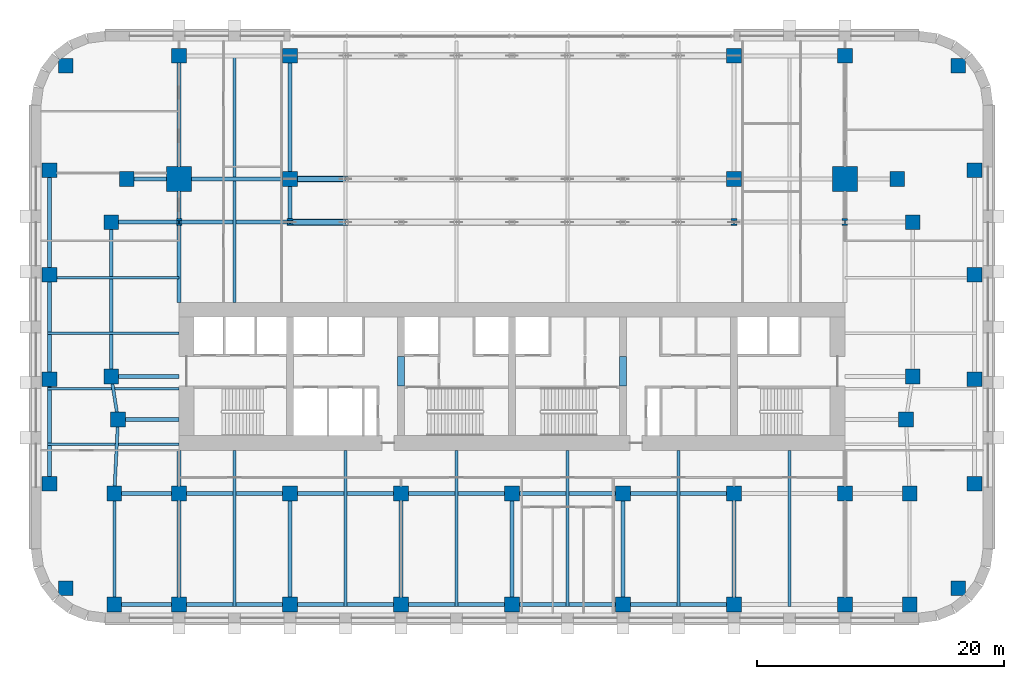
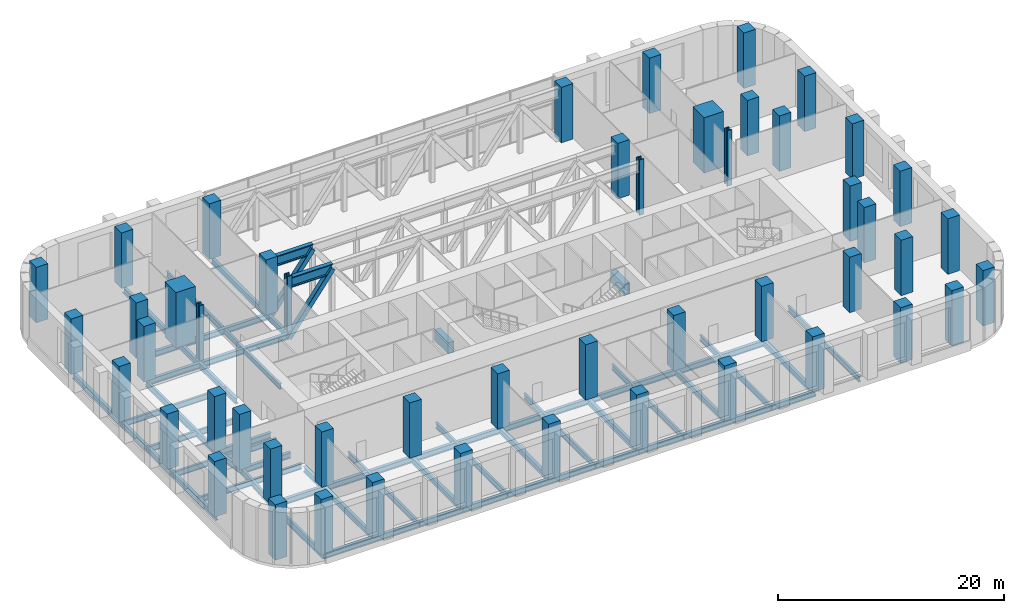
# One storey, part 1 of 13: 50 columns, 38 beams, 4 members.
"""IFC4 building model written with IfcOpenShell, lengths in metres."""

from ifc_helpers import new_model, si_unit, direction, frame, origin, origin_2d, place, context, subcontext, project, spatial, rectangle, hollow_rectangle, i_section, extrude, material, material_profile, profile_set, type_object, element, save


model = new_model("IFC4")

# Units and contexts
model_context = context("Model", 3, precision=1e-05, world=origin(), true_north=direction((0.0, 1.0)))
body_context = subcontext(model_context, "Body", "Model", "MODEL_VIEW")
ifc_project = project(units=[si_unit("LENGTHUNIT", "METRE"), si_unit("AREAUNIT", "SQUARE_METRE"), si_unit("VOLUMEUNIT", "CUBIC_METRE"), si_unit("PLANEANGLEUNIT", "RADIAN"), si_unit("MASSUNIT", "GRAM", prefix="KILO")], contexts=[model_context])

# Site, building, storey
site_placement = place(None, origin())
site = spatial("IfcSite", under=ifc_project, at=site_placement, CompositionType="ELEMENT")
building_placement = place(site_placement, origin())
building = spatial("IfcBuilding", under=site, at=building_placement, Name="Zellij Exchange Tower", CompositionType="ELEMENT")
storey_placement = place(building_placement, frame((0.0, 0.0, 27.0)))
storey = spatial("IfcBuildingStorey", under=building, at=storey_placement, Name="L04", CompositionType="ELEMENT", Elevation=27.0)

# Columns
ifc_material_1 = material(Name="Concrete C70/85", Category="concrete")
ifc_material_profile_1 = material_profile(ifc_material_1, rectangle(XDim=1.199951171875, YDim=1.199951171875, at=origin_2d()), Name="STR-COLUMN RC1200x1200 C70/85")
ifc_profile_set_1 = profile_set([ifc_material_profile_1], Name="Concrete C70/85")
column_type_1 = type_object("IfcColumnType", Name="STR-COLUMN RC1200x1200 C70/85", PredefinedType="COLUMN", material=ifc_profile_set_1)
for number, where, z_axis, x_axis, name in (
    (1, (-32.25, -26.5, 0.0), (0.0, 0.0, 1.0), (1.0, 0.0, 0.0), "C12"),
    (2, (-27.0, -26.5, 0.0), (0.0, 0.0, 1.0), (1.0, 0.0, 0.0), "C12"),
    (3, (-18.0, -26.5, 0.0), (0.0, 0.0, 1.0), (1.0, 0.0, 0.0), "C12"),
    (4, (-9.0, -26.5, 0.0), (0.0, 0.0, 1.0), (1.0, 0.0, 0.0), "C12"),
    (5, (0.0, -26.5, 0.0), (0.0, 0.0, 1.0), (1.0, 0.0, 0.0), "C12"),
    (6, (9.0, -26.5, 0.0), (0.0, 0.0, 1.0), (1.0, 0.0, 0.0), "C12"),
    (7, (18.0, -26.5, 0.0), (0.0, 0.0, 1.0), (1.0, 0.0, 0.0), "C12"),
    (8, (27.0, -26.5, 0.0), (0.0, 0.0, 1.0), (1.0, 0.0, 0.0), "C12"),
    (9, (32.25, -26.5, 0.0), (0.0, 0.0, 1.0), (1.0, 0.0, 0.0), "C12"),
    (10, (-36.181884765625, -25.181884765625, 0.0), (0.0, 0.0, 1.0), (1.0, 0.0, 0.0), "C12"),
    (11, (36.181884765625, -25.181884765625, 0.0), (0.0, 0.0, 1.0), (1.0, 0.0, 0.0), "C12"),
    (12, (-32.25, -17.5, 0.0), (0.0, 0.0, 1.0), (1.0, 0.0, 0.0), "C12"),
    (13, (-27.0, -17.5, 0.0), (0.0, 0.0, 1.0), (1.0, 0.0, 0.0), "C12"),
    (14, (-18.0, -17.5, 0.0), (0.0, 0.0, 1.0), (1.0, 0.0, 0.0), "C12"),
    (15, (-9.0, -17.5, 0.0), (0.0, 0.0, 1.0), (1.0, 0.0, 0.0), "C12"),
    (16, (0.0, -17.5, 0.0), (0.0, 0.0, 1.0), (1.0, 0.0, 0.0), "C12"),
    (17, (9.0, -17.5, 0.0), (0.0, 0.0, 1.0), (1.0, 0.0, 0.0), "C12"),
    (18, (18.0, -17.5, 0.0), (0.0, 0.0, 1.0), (1.0, 0.0, 0.0), "C12"),
    (19, (27.0, -17.5, 0.0), (0.0, 0.0, 1.0), (1.0, 0.0, 0.0), "C12"),
    (20, (32.25, -17.5, 0.0), (0.0, 0.0, 1.0), (1.0, 0.0, 0.0), "C12"),
    (21, (-37.5, -16.709228515625, 0.0), (0.0, 0.0, 1.0), (1.0, 0.0, 0.0), "C12"),
    (22, (37.5, -16.709228515625, 0.0), (0.0, 0.0, 1.0), (1.0, 0.0, 0.0), "C12"),
    (23, (-31.949951171875, -11.5, 0.0), (0.0, 0.0, 1.0), (1.0, 0.0, 0.0), "C12"),
    (24, (31.949951171875, -11.5, 0.0), (0.0, 0.0, 1.0), (1.0, 0.0, 0.0), "C12"),
    (25, (-37.5, -8.236328125, 0.0), (0.0, 0.0, 1.0), (1.0, 0.0, 0.0), "C12"),
    (26, (37.5, -8.236328125, 0.0), (0.0, 0.0, 1.0), (1.0, 0.0, 0.0), "C12"),
    (27, (-32.5, -8.0, 0.0), (0.0, 0.0, 1.0), (1.0, 0.0, 0.0), "C12"),
    (28, (32.5, -8.0, 0.0), (0.0, 0.0, 1.0), (1.0, 0.0, 0.0), "C12"),
    (29, (-37.5, 0.236328125, 0.0), (0.0, 0.0, 1.0), (1.0, 0.0, 0.0), "C12"),
    (30, (37.5, 0.236328125, 0.0), (0.0, 0.0, 1.0), (1.0, 0.0, 0.0), "C12"),
    (31, (-32.5, 4.5, 0.0), (0.0, 0.0, 1.0), (1.0, 0.0, 0.0), "C12"),
    (32, (32.5, 4.5, 0.0), (0.0, 0.0, 1.0), (1.0, 0.0, 0.0), "C12"),
    (33, (-31.25, 8.0, 0.0), (0.0, 0.0, 1.0), (1.0, 0.0, 0.0), "C12"),
    (34, (-18.0, 8.0, 0.0), (0.0, 0.0, 1.0), (1.0, 0.0, 0.0), "C12"),
    (35, (18.0, 8.0, 0.0), (0.0, 0.0, 1.0), (1.0, 0.0, 0.0), "C12"),
    (36, (31.25, 8.0, 0.0), (0.0, 0.0, 1.0), (1.0, 0.0, 0.0), "C12"),
    (37, (-37.5, 8.709228515625, 0.0), (0.0, 0.0, 1.0), (1.0, 0.0, 0.0), "C12"),
    (38, (37.5, 8.709228515625, 0.0), (0.0, 0.0, 1.0), (1.0, 0.0, 0.0), "C12"),
    (39, (-36.181884765625, 17.181884765625, 0.0), (0.0, 0.0, 1.0), (1.0, 0.0, 0.0), "C12"),
    (40, (36.181884765625, 17.181884765625, 0.0), (0.0, 0.0, 1.0), (1.0, 0.0, 0.0), "C12"),
    (41, (-27.0, 18.0, 0.0), (0.0, 0.0, 1.0), (1.0, 0.0, 0.0), "C12"),
    (42, (-18.0, 18.0, 0.0), (0.0, 0.0, 1.0), (1.0, 0.0, 0.0), "C12"),
    (43, (18.0, 18.0, 0.0), (0.0, 0.0, 1.0), (1.0, 0.0, 0.0), "C12"),
    (44, (27.0, 18.0, 0.0), (0.0, 0.0, 1.0), (1.0, 0.0, 0.0), "C12"),
):
    element("IfcColumn", number, at=place(storey_placement, frame(where, z_axis=z_axis, x_axis=x_axis)), inside=storey, type_object=column_type_1, Name=name, PredefinedType="COLUMN", context=body_context, shape_type="SweptSolid", body=[
        extrude(rectangle(XDim=1.199951171875, YDim=1.199951171875, at=origin_2d()), origin(), (0.0, 0.0, 1.0), 6.0),
    ])
ifc_material_2 = material(Name="Structural steel ASTM A913 Gr 65", Category="steel")
ifc_material_profile_2 = material_profile(ifc_material_2, i_section(OverallWidth=0.45458984375, OverallDepth=0.56884765625, WebThickness=0.077880859375, FlangeThickness=0.124755859375, at=origin_2d()), Name="W14x730")
ifc_profile_set_2 = profile_set([ifc_material_profile_2], Name="Structural steel ASTM A913 Gr 65")
column_type_2 = type_object("IfcColumnType", Name="STR-COLUMN W14x730", PredefinedType="COLUMN", material=ifc_profile_set_2)
for number, where, z_axis, x_axis, name in (
    (45, (-27.0, 4.5, 0.0), (0.0, 0.0, 1.0), (1.0, 0.0, 0.0), "C7"),
    (46, (-18.0, 4.5, 0.0), (0.0, 0.0, 1.0), (1.0, 0.0, 0.0), "C7"),
    (47, (18.0, 4.5, 0.0), (0.0, 0.0, 1.0), (1.0, 0.0, 0.0), "C7"),
    (48, (27.0, 4.5, 0.0), (0.0, 0.0, 1.0), (1.0, 0.0, 0.0), "C7"),
):
    element("IfcColumn", number, at=place(storey_placement, frame(where, z_axis=z_axis, x_axis=x_axis)), inside=storey, type_object=column_type_2, Name=name, PredefinedType="COLUMN", context=body_context, shape_type="SweptSolid", body=[
        extrude(i_section(OverallWidth=0.45458984375, OverallDepth=0.56884765625, WebThickness=0.077880859375, FlangeThickness=0.124755859375, at=origin_2d()), origin(), (0.0, 0.0, 1.0), 6.0),
    ])
ifc_material_profile_3 = material_profile(ifc_material_1, rectangle(XDim=2.0, YDim=2.0, at=origin_2d()), Name="STR-MEGA COLUMN RC2000x2000 C70/85")
ifc_profile_set_3 = profile_set([ifc_material_profile_3], Name="Concrete C70/85")
column_type_3 = type_object("IfcColumnType", Name="STR-MEGA COLUMN RC2000x2000 C70/85", PredefinedType="COLUMN", material=ifc_profile_set_3)
for number, where, z_axis, x_axis, name in (
    (49, (-27.0, 8.0, 0.0), (0.0, 0.0, 1.0), (1.0, 0.0, 0.0), "MC8"),
    (50, (27.0, 8.0, 0.0), (0.0, 0.0, 1.0), (1.0, 0.0, 0.0), "MC8"),
):
    element("IfcColumn", number, at=place(storey_placement, frame(where, z_axis=z_axis, x_axis=x_axis)), inside=storey, type_object=column_type_3, Name=name, PredefinedType="COLUMN", context=body_context, shape_type="SweptSolid", body=[
        extrude(rectangle(XDim=2.0, YDim=2.0, at=origin_2d()), origin(), (0.0, 0.0, 1.0), 6.0),
    ])

# Beams
ifc_material_profile_4 = material_profile(ifc_material_1, rectangle(XDim=0.60009765625, YDim=1.199951171875, at=origin_2d()), Name="CORE-CB 600x1200 C70/85")
ifc_profile_set_4 = profile_set([ifc_material_profile_4], Name="Concrete C70/85")
beam_type_1 = type_object("IfcBeamType", Name="CORE-CB 600x1200 C70/85", PredefinedType="BEAM", material=ifc_profile_set_4)
for number, where, z_axis, x_axis, name in (
    (51, (-9.0, -8.800048828125, 3.0), (0.0, 1.0, 0.0), (-1.0, 0.0, 0.0), "Core coupling beam x -9 L04"),
    (52, (9.0, -8.800048828125, 3.0), (0.0, 1.0, 0.0), (-1.0, 0.0, 0.0), "Core coupling beam x 9 L04"),
):
    element("IfcBeam", number, at=place(storey_placement, frame(where, z_axis=z_axis, x_axis=x_axis)), inside=storey, type_object=beam_type_1, Name=name, PredefinedType="BEAM", context=body_context, shape_type="SweptSolid", body=[
        extrude(rectangle(XDim=0.60009765625, YDim=1.199951171875, at=origin_2d()), origin(), (0.0, 0.0, 1.0), 2.425048828125),
    ])
ifc_material_3 = material(Name="Structural steel ASTM A992 Gr 50", Category="steel")
ifc_material_profile_5 = material_profile(ifc_material_3, i_section(OverallWidth=0.22900390625, OverallDepth=0.612060546875, WebThickness=0.011962890625, FlangeThickness=0.01953125, at=origin_2d()), Name="W24x84")
ifc_profile_set_5 = profile_set([ifc_material_profile_5], Name="Structural steel ASTM A992 Gr 50")
beam_type_2 = type_object("IfcBeamType", Name="STR-BEAM W24x84", PredefinedType="BEAM", material=ifc_profile_set_5)
beam_1_placement = place(storey_placement, frame((-22.5, -26.66259765625, -0.606201171875), z_axis=(0.0, 1.0, 0.0), x_axis=(-1.0, 0.0, 0.0)))
element("IfcBeam", 53, at=beam_1_placement, inside=storey, type_object=beam_type_2, Name="B6", PredefinedType="BEAM", context=body_context, shape_type="SweptSolid", body=[
    extrude(i_section(OverallWidth=0.22900390625, OverallDepth=0.612060546875, WebThickness=0.011962890625, FlangeThickness=0.01953125, at=origin_2d()), origin(), (0.0, 0.0, 1.0), 12.66259765625),
])
beam_2_placement = place(storey_placement, frame((-22.5, -2.0, -0.606201171875), z_axis=(0.0, 1.0, 0.0), x_axis=(-1.0, 0.0, 0.0)))
element("IfcBeam", 54, at=beam_2_placement, inside=storey, type_object=beam_type_2, Name="B6", PredefinedType="BEAM", context=body_context, shape_type="SweptSolid", body=[
    extrude(i_section(OverallWidth=0.22900390625, OverallDepth=0.612060546875, WebThickness=0.011962890625, FlangeThickness=0.01953125, at=origin_2d()), origin(), (0.0, 0.0, 1.0), 20.16259765625),
])
for number, where, z_axis, x_axis, name in (
    (55, (-13.5, -26.66259765625, -0.606201171875), (0.0, 1.0, 0.0), (-1.0, 0.0, 0.0), "B6"),
    (56, (-4.5, -26.66259765625, -0.606201171875), (0.0, 1.0, 0.0), (-1.0, 0.0, 0.0), "B6"),
    (57, (4.5, -26.66259765625, -0.606201171875), (0.0, 1.0, 0.0), (-1.0, 0.0, 0.0), "B6"),
    (58, (13.5, -26.66259765625, -0.606201171875), (0.0, 1.0, 0.0), (-1.0, 0.0, 0.0), "B6"),
    (59, (22.5, -26.66259765625, -0.606201171875), (0.0, 1.0, 0.0), (-1.0, 0.0, 0.0), "B6"),
):
    element("IfcBeam", number, at=place(storey_placement, frame(where, z_axis=z_axis, x_axis=x_axis)), inside=storey, type_object=beam_type_2, Name=name, PredefinedType="BEAM", context=body_context, shape_type="SweptSolid", body=[
        extrude(i_section(OverallWidth=0.22900390625, OverallDepth=0.612060546875, WebThickness=0.011962890625, FlangeThickness=0.01953125, at=origin_2d()), origin(), (0.0, 0.0, 1.0), 12.66259765625),
    ])
for number, where, z_axis, x_axis, name in (
    (60, (-37.66259765625, -13.5, -0.606201171875), (1.0, 0.0, 0.0), (0.0, 1.0, 0.0), "B6"),
    (61, (-37.66259765625, -9.0, -0.606201171875), (1.0, 0.0, 0.0), (0.0, 1.0, 0.0), "B6"),
    (62, (-37.66259765625, -4.5, -0.606201171875), (1.0, 0.0, 0.0), (0.0, 1.0, 0.0), "B6"),
    (63, (-37.66259765625, 0.0, -0.606201171875), (1.0, 0.0, 0.0), (0.0, 1.0, 0.0), "B6"),
):
    element("IfcBeam", number, at=place(storey_placement, frame(where, z_axis=z_axis, x_axis=x_axis)), inside=storey, type_object=beam_type_2, Name=name, PredefinedType="BEAM", context=body_context, shape_type="SweptSolid", body=[
        extrude(i_section(OverallWidth=0.22900390625, OverallDepth=0.612060546875, WebThickness=0.011962890625, FlangeThickness=0.01953125, at=origin_2d()), origin(), (0.0, 0.0, 1.0), 10.66259765625),
    ])
ifc_material_profile_6 = material_profile(ifc_material_3, i_section(OverallWidth=0.25390625, OverallDepth=0.67822265625, WebThickness=0.01171875, FlangeThickness=0.016357421875, at=origin_2d()), Name="W27x84")
ifc_profile_set_6 = profile_set([ifc_material_profile_6], Name="Structural steel ASTM A992 Gr 50")
beam_type_3 = type_object("IfcBeamType", Name="STR-EDGE GIRDER W27x84", PredefinedType="BEAM", material=ifc_profile_set_6)
beam_3_placement = place(storey_placement, frame((-32.25, -26.5, -0.63916015625), z_axis=(0.0, 1.0, 0.0), x_axis=(-1.0, 0.0, 0.0)))
element("IfcBeam", 64, at=beam_3_placement, inside=storey, type_object=beam_type_3, Name="EB7", PredefinedType="BEAM", context=body_context, shape_type="SweptSolid", body=[
    extrude(i_section(OverallWidth=0.25390625, OverallDepth=0.67822265625, WebThickness=0.01171875, FlangeThickness=0.016357421875, at=origin_2d()), origin(), (0.0, 0.0, 1.0), 9.0),
])
beam_4_placement = place(storey_placement, frame((-32.25, -17.5, -0.63916015625), z_axis=(0.049945724537, 0.998751933465, 0.0), x_axis=(-0.998751933465, 0.049945724537, 0.0)))
element("IfcBeam", 65, at=beam_4_placement, inside=storey, type_object=beam_type_3, Name="EB7", PredefinedType="BEAM", context=body_context, shape_type="SweptSolid", body=[
    extrude(i_section(OverallWidth=0.25390625, OverallDepth=0.67822265625, WebThickness=0.01171875, FlangeThickness=0.016357421875, at=origin_2d()), origin(), (0.0, 0.0, 1.0), 6.007568359375),
])
beam_5_placement = place(storey_placement, frame((-31.949951171875, -11.5, -0.63916015625), z_axis=(-0.155251283593, 0.987875011802, 0.0), x_axis=(-0.987875011802, -0.155251283593, 0.0)))
element("IfcBeam", 66, at=beam_5_placement, inside=storey, type_object=beam_type_3, Name="EB7", PredefinedType="BEAM", context=body_context, shape_type="SweptSolid", body=[
    extrude(i_section(OverallWidth=0.25390625, OverallDepth=0.67822265625, WebThickness=0.01171875, FlangeThickness=0.016357421875, at=origin_2d()), origin(), (0.0, 0.0, 1.0), 3.54296875),
])
beam_6_placement = place(storey_placement, frame((-32.5, -8.0, -0.63916015625), z_axis=(0.0, 1.0, 0.0), x_axis=(-1.0, 0.0, 0.0)))
element("IfcBeam", 67, at=beam_6_placement, inside=storey, type_object=beam_type_3, Name="EB7", PredefinedType="BEAM", context=body_context, shape_type="SweptSolid", body=[
    extrude(i_section(OverallWidth=0.25390625, OverallDepth=0.67822265625, WebThickness=0.01171875, FlangeThickness=0.016357421875, at=origin_2d()), origin(), (0.0, 0.0, 1.0), 12.5),
])
ifc_material_profile_7 = material_profile(ifc_material_3, i_section(OverallWidth=0.3251953125, OverallDepth=0.612060546875, WebThickness=0.0126953125, FlangeThickness=0.01904296875, at=origin_2d()), Name="W24x104")
ifc_profile_set_7 = profile_set([ifc_material_profile_7], Name="Structural steel ASTM A992 Gr 50")
beam_type_4 = type_object("IfcBeamType", Name="STR-GIRDER W24x104", PredefinedType="BEAM", material=ifc_profile_set_7)
beam_7_placement = place(storey_placement, frame((-32.25, -26.5, -0.606201171875), z_axis=(1.0, 0.0, 0.0), x_axis=(0.0, 1.0, 0.0)))
element("IfcBeam", 68, at=beam_7_placement, inside=storey, type_object=beam_type_4, Name="G3", PredefinedType="BEAM", context=body_context, shape_type="SweptSolid", body=[
    extrude(i_section(OverallWidth=0.3251953125, OverallDepth=0.612060546875, WebThickness=0.0126953125, FlangeThickness=0.01904296875, at=origin_2d()), origin(), (0.0, 0.0, 1.0), 14.25),
])
for number, where, z_axis, x_axis, name in (
    (69, (-18.0, -26.5, -0.606201171875), (1.0, 0.0, 0.0), (0.0, 1.0, 0.0), "G3"),
    (70, (0.0, -26.5, -0.606201171875), (1.0, 0.0, 0.0), (0.0, 1.0, 0.0), "G3"),
):
    element("IfcBeam", number, at=place(storey_placement, frame(where, z_axis=z_axis, x_axis=x_axis)), inside=storey, type_object=beam_type_4, Name=name, PredefinedType="BEAM", context=body_context, shape_type="SweptSolid", body=[
        extrude(i_section(OverallWidth=0.3251953125, OverallDepth=0.612060546875, WebThickness=0.0126953125, FlangeThickness=0.01904296875, at=origin_2d()), origin(), (0.0, 0.0, 1.0), 18.0),
    ])
beam_8_placement = place(storey_placement, frame((-32.25, -17.5, -0.606201171875), z_axis=(1.0, 0.0, 0.0), x_axis=(0.0, 1.0, 0.0)))
element("IfcBeam", 71, at=beam_8_placement, inside=storey, type_object=beam_type_4, Name="G3", PredefinedType="BEAM", context=body_context, shape_type="SweptSolid", body=[
    extrude(i_section(OverallWidth=0.3251953125, OverallDepth=0.612060546875, WebThickness=0.0126953125, FlangeThickness=0.01904296875, at=origin_2d()), origin(), (0.0, 0.0, 1.0), 14.25),
])
for number, where, z_axis, x_axis, name in (
    (72, (-18.0, -17.5, -0.606201171875), (1.0, 0.0, 0.0), (0.0, 1.0, 0.0), "G3"),
    (73, (0.0, -17.5, -0.606201171875), (1.0, 0.0, 0.0), (0.0, 1.0, 0.0), "G3"),
):
    element("IfcBeam", number, at=place(storey_placement, frame(where, z_axis=z_axis, x_axis=x_axis)), inside=storey, type_object=beam_type_4, Name=name, PredefinedType="BEAM", context=body_context, shape_type="SweptSolid", body=[
        extrude(i_section(OverallWidth=0.3251953125, OverallDepth=0.612060546875, WebThickness=0.0126953125, FlangeThickness=0.01904296875, at=origin_2d()), origin(), (0.0, 0.0, 1.0), 18.0),
    ])
beam_9_placement = place(storey_placement, frame((-31.949951171875, -11.5, -0.606201171875), z_axis=(1.0, 0.0, 0.0), x_axis=(0.0, 1.0, 0.0)))
element("IfcBeam", 74, at=beam_9_placement, inside=storey, type_object=beam_type_4, Name="G3", PredefinedType="BEAM", context=body_context, shape_type="SweptSolid", body=[
    extrude(i_section(OverallWidth=0.3251953125, OverallDepth=0.612060546875, WebThickness=0.0126953125, FlangeThickness=0.01904296875, at=origin_2d()), origin(), (0.0, 0.0, 1.0), 4.949951171875),
])
beam_10_placement = place(storey_placement, frame((-32.5, -8.0, -0.606201171875), z_axis=(1.0, 0.0, 0.0), x_axis=(0.0, 1.0, 0.0)))
element("IfcBeam", 75, at=beam_10_placement, inside=storey, type_object=beam_type_4, Name="G3", PredefinedType="BEAM", context=body_context, shape_type="SweptSolid", body=[
    extrude(i_section(OverallWidth=0.3251953125, OverallDepth=0.612060546875, WebThickness=0.0126953125, FlangeThickness=0.01904296875, at=origin_2d()), origin(), (0.0, 0.0, 1.0), 5.5),
])
beam_11_placement = place(storey_placement, frame((-32.5, 4.5, -0.606201171875), z_axis=(1.0, 0.0, 0.0), x_axis=(0.0, 1.0, 0.0)))
element("IfcBeam", 76, at=beam_11_placement, inside=storey, type_object=beam_type_4, Name="G3", PredefinedType="BEAM", context=body_context, shape_type="SweptSolid", body=[
    extrude(i_section(OverallWidth=0.3251953125, OverallDepth=0.612060546875, WebThickness=0.0126953125, FlangeThickness=0.01904296875, at=origin_2d()), origin(), (0.0, 0.0, 1.0), 14.5),
])
beam_12_placement = place(storey_placement, frame((-31.25, 8.0, -0.606201171875), z_axis=(1.0, 0.0, 0.0), x_axis=(0.0, 1.0, 0.0)))
element("IfcBeam", 77, at=beam_12_placement, inside=storey, type_object=beam_type_4, Name="G3", PredefinedType="BEAM", context=body_context, shape_type="SweptSolid", body=[
    extrude(i_section(OverallWidth=0.3251953125, OverallDepth=0.612060546875, WebThickness=0.0126953125, FlangeThickness=0.01904296875, at=origin_2d()), origin(), (0.0, 0.0, 1.0), 13.25),
])
beam_13_placement = place(storey_placement, frame((-37.5, -16.708984375, -0.606201171875), z_axis=(0.0, 1.0, 0.0), x_axis=(-1.0, 0.0, 0.0)))
element("IfcBeam", 78, at=beam_13_placement, inside=storey, type_object=beam_type_4, Name="G3", PredefinedType="BEAM", context=body_context, shape_type="SweptSolid", body=[
    extrude(i_section(OverallWidth=0.3251953125, OverallDepth=0.612060546875, WebThickness=0.0126953125, FlangeThickness=0.01904296875, at=origin_2d()), origin(), (0.0, 0.0, 1.0), 16.945068359375),
])
beam_14_placement = place(storey_placement, frame((-37.5, 0.236083984375, -0.606201171875), z_axis=(0.0, 1.0, 0.0), x_axis=(-1.0, 0.0, 0.0)))
element("IfcBeam", 79, at=beam_14_placement, inside=storey, type_object=beam_type_4, Name="G3", PredefinedType="BEAM", context=body_context, shape_type="SweptSolid", body=[
    extrude(i_section(OverallWidth=0.3251953125, OverallDepth=0.612060546875, WebThickness=0.0126953125, FlangeThickness=0.01904296875, at=origin_2d()), origin(), (0.0, 0.0, 1.0), 8.472900390625),
])
beam_15_placement = place(storey_placement, frame((-27.0, -26.5, -0.606201171875), z_axis=(0.0, 1.0, 0.0), x_axis=(-1.0, 0.0, 0.0)))
element("IfcBeam", 80, at=beam_15_placement, inside=storey, type_object=beam_type_4, Name="G3", PredefinedType="BEAM", context=body_context, shape_type="SweptSolid", body=[
    extrude(i_section(OverallWidth=0.3251953125, OverallDepth=0.612060546875, WebThickness=0.0126953125, FlangeThickness=0.01904296875, at=origin_2d()), origin(), (0.0, 0.0, 1.0), 12.5),
])
for number, where, z_axis, x_axis, name in (
    (81, (-27.0, -2.0, -0.606201171875), (0.0, 1.0, 0.0), (-1.0, 0.0, 0.0), "G3"),
    (82, (-27.0, 8.0, -0.606201171875), (0.0, 1.0, 0.0), (-1.0, 0.0, 0.0), "G3"),
):
    element("IfcBeam", number, at=place(storey_placement, frame(where, z_axis=z_axis, x_axis=x_axis)), inside=storey, type_object=beam_type_4, Name=name, PredefinedType="BEAM", context=body_context, shape_type="SweptSolid", body=[
        extrude(i_section(OverallWidth=0.3251953125, OverallDepth=0.612060546875, WebThickness=0.0126953125, FlangeThickness=0.01904296875, at=origin_2d()), origin(), (0.0, 0.0, 1.0), 10.0),
    ])
beam_16_placement = place(storey_placement, frame((-18.0, -26.5, -0.606201171875), z_axis=(0.0, 1.0, 0.0), x_axis=(-1.0, 0.0, 0.0)))
element("IfcBeam", 83, at=beam_16_placement, inside=storey, type_object=beam_type_4, Name="G3", PredefinedType="BEAM", context=body_context, shape_type="SweptSolid", body=[
    extrude(i_section(OverallWidth=0.3251953125, OverallDepth=0.612060546875, WebThickness=0.0126953125, FlangeThickness=0.01904296875, at=origin_2d()), origin(), (0.0, 0.0, 1.0), 9.0),
])
beam_17_placement = place(storey_placement, frame((-18.0, 4.5, -0.606201171875), z_axis=(0.0, 1.0, 0.0), x_axis=(-1.0, 0.0, 0.0)))
element("IfcBeam", 84, at=beam_17_placement, inside=storey, type_object=beam_type_4, Name="G3", PredefinedType="BEAM", context=body_context, shape_type="SweptSolid", body=[
    extrude(i_section(OverallWidth=0.3251953125, OverallDepth=0.612060546875, WebThickness=0.0126953125, FlangeThickness=0.01904296875, at=origin_2d()), origin(), (0.0, 0.0, 1.0), 13.5),
])
for number, where, z_axis, x_axis, name in (
    (85, (-9.0, -26.5, -0.606201171875), (0.0, 1.0, 0.0), (-1.0, 0.0, 0.0), "G3"),
    (86, (0.0, -26.5, -0.606201171875), (0.0, 1.0, 0.0), (-1.0, 0.0, 0.0), "G3"),
    (87, (9.0, -26.5, -0.606201171875), (0.0, 1.0, 0.0), (-1.0, 0.0, 0.0), "G3"),
    (88, (18.0, -26.5, -0.606201171875), (0.0, 1.0, 0.0), (-1.0, 0.0, 0.0), "G3"),
):
    element("IfcBeam", number, at=place(storey_placement, frame(where, z_axis=z_axis, x_axis=x_axis)), inside=storey, type_object=beam_type_4, Name=name, PredefinedType="BEAM", context=body_context, shape_type="SweptSolid", body=[
        extrude(i_section(OverallWidth=0.3251953125, OverallDepth=0.612060546875, WebThickness=0.0126953125, FlangeThickness=0.01904296875, at=origin_2d()), origin(), (0.0, 0.0, 1.0), 9.0),
    ])

# Members
ifc_material_profile_8 = material_profile(ifc_material_2, i_section(OverallWidth=0.424072265625, OverallDepth=1.09228515625, WebThickness=0.04541015625, FlangeThickness=0.08203125, at=origin_2d()), Name="W40x593")
ifc_profile_set_8 = profile_set([ifc_material_profile_8], Name="Structural steel ASTM A913 Gr 65")
member_type_1 = type_object("IfcMemberType", Name="STR-PODIUM TRANSFER TRUSS CHORD W40x593", PredefinedType="CHORD", material=ifc_profile_set_8)
for number, where, z_axis, x_axis, name in (
    (89, (-18.0, 4.5, 5.15380859375), (1.0, 0.0, 0.0), (0.0, 1.0, 0.0), "PT1"),
    (90, (-18.0, 8.0, 5.15380859375), (1.0, 0.0, 0.0), (0.0, 1.0, 0.0), "PT1"),
):
    element("IfcMember", number, at=place(storey_placement, frame(where, z_axis=z_axis, x_axis=x_axis)), inside=storey, type_object=member_type_1, Name=name, PredefinedType="CHORD", context=body_context, shape_type="SweptSolid", body=[
        extrude(i_section(OverallWidth=0.424072265625, OverallDepth=1.09228515625, WebThickness=0.04541015625, FlangeThickness=0.08203125, at=origin_2d()), origin(), (0.0, 0.0, 1.0), 4.5),
    ])
ifc_material_4 = material(Name="Structural steel ASTM A500 Gr C", Category="steel")
ifc_material_profile_9 = material_profile(ifc_material_4, hollow_rectangle(XDim=0.508056640625, YDim=0.508056640625, WallThickness=0.0146484375, InnerFilletRadius=0.0146484375, OuterFilletRadius=0.029541015625, at=origin_2d()), Name="STR-PODIUM TRANSFER TRUSS DIAGONAL HSS20x20x5/8")
ifc_profile_set_9 = profile_set([ifc_material_profile_9], Name="Structural steel ASTM A500 Gr C")
member_type_2 = type_object("IfcMemberType", Name="STR-PODIUM TRANSFER TRUSS DIAGONAL HSS20x20x5/8", PredefinedType="BRACE", material=ifc_profile_set_9)
for number, where, z_axis, x_axis, name in (
    (91, (-18.0, 4.5, -0.84619140625), (0.6, 0.0, 0.8), (0.0, 1.0, 0.0), "PT2"),
    (92, (-18.0, 8.0, -0.84619140625), (0.6, 0.0, 0.8), (0.0, 1.0, 0.0), "PT2"),
):
    element("IfcMember", number, at=place(storey_placement, frame(where, z_axis=z_axis, x_axis=x_axis)), inside=storey, type_object=member_type_2, Name=name, PredefinedType="BRACE", context=body_context, shape_type="SweptSolid", body=[
        extrude(hollow_rectangle(XDim=0.508056640625, YDim=0.508056640625, WallThickness=0.0146484375, InnerFilletRadius=0.0146484375, OuterFilletRadius=0.029541015625, at=origin_2d()), origin(), (0.0, 0.0, 1.0), 7.5),
    ])

save(model, "model.ifc")
